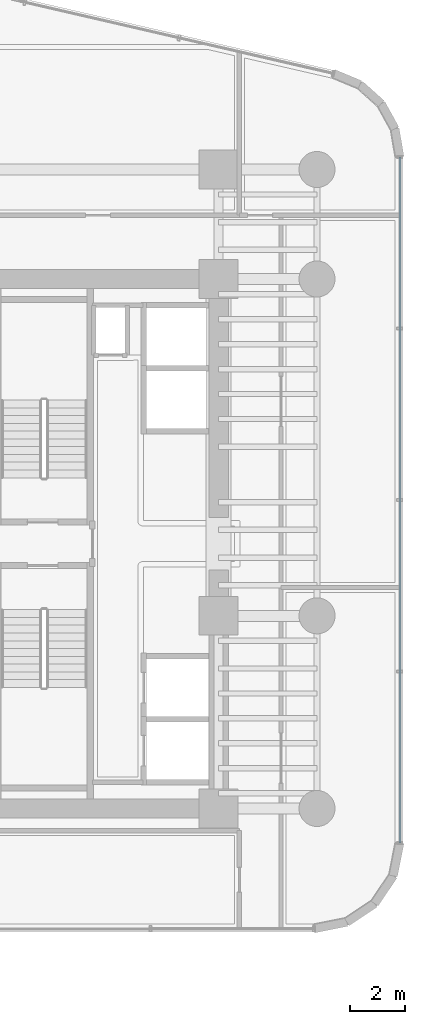
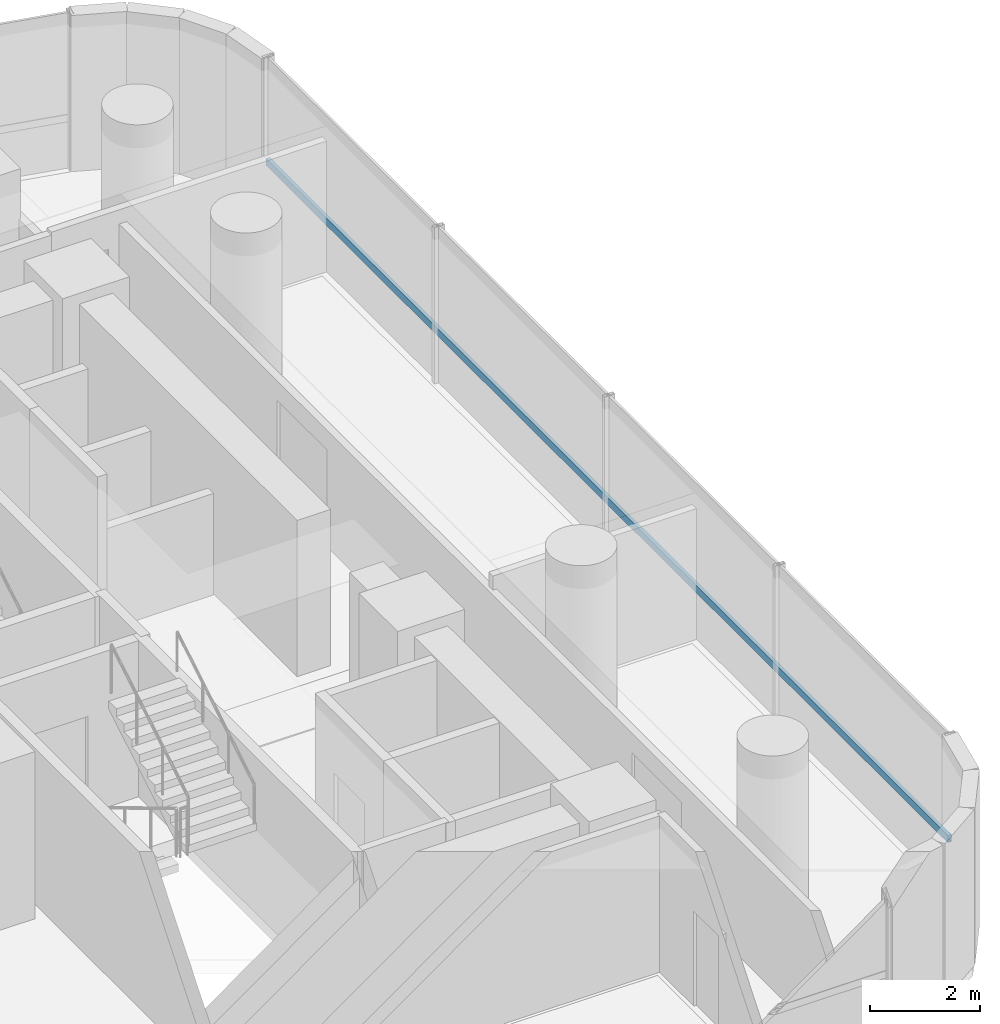
# One storey, part 27 of 40: 1 member, 1 element without a shape of its own.
"""IFC4 building model written with IfcOpenShell, lengths in metres."""

import ifcopenshell
import ifcopenshell.guid

model = None  # the IFC model being written
_history = None  # IfcOwnerHistory: only IFC2X3 demands one
_inside = {}  # id of a spatial element -> (the spatial element, [elements in it])
_under = {}  # id of a project, library or spatial element -> (it, [spatial elements below it])
_declared = {}  # id of a project -> (the project, [libraries it declares])
_typed = {}  # id of a type object -> (the type object, [elements of that type])
_made_of = {}  # id of a material, layer set ... -> (it, [elements and type objects made of it])


def new_model(schema):
    """Start an empty IFC model of exactly this schema.

    Asked for "IFC4X3", IfcOpenShell would pick the latest addendum, in which some entities
    have other attributes; the version numbers below select the first issue.
    IFC2X3 requires an IfcOwnerHistory on every rooted entity: one is made here for all.
    """
    global model, _history
    if schema == "IFC4X3":
        model = ifcopenshell.file(schema_version=(4, 3, 0, 0))
    else:
        model = ifcopenshell.file(schema=schema)
    _inside.clear()
    _under.clear()
    _declared.clear()
    _typed.clear()
    _made_of.clear()
    _history = None
    if model.schema == "IFC2X3":
        org = make("IfcOrganization", Name="unknown")
        user = make(
            "IfcPersonAndOrganization",
            ThePerson=make("IfcPerson", FamilyName="unknown"),
            TheOrganization=org,
        )
        app = make(
            "IfcApplication",
            ApplicationDeveloper=org,
            Version="unknown",
            ApplicationFullName="unknown",
            ApplicationIdentifier="unknown",
        )
        _history = make(
            "IfcOwnerHistory",
            OwningUser=user,
            OwningApplication=app,
            ChangeAction="ADDED",
            CreationDate=0,
        )
    return model


def make(cls, **values):
    """One entity of the class cls with the attributes given. An attribute that is None is left unset."""
    return model.create_entity(
        cls, **{name: value for name, value in values.items() if value is not None}
    )


def rooted(cls, **values):
    """An entity with a GlobalId (a new one), such as an element, a storey or a relation."""
    return make(cls, GlobalId=ifcopenshell.guid.new(), OwnerHistory=_history, **values)


def si_unit(unit_type, name, prefix=None):
    """IfcSIUnit, for example si_unit("LENGTHUNIT", "METRE", prefix="MILLI")."""
    return make("IfcSIUnit", UnitType=unit_type, Prefix=prefix, Name=name)


def assignment(units):
    """IfcUnitAssignment: the units of a project."""
    return None if units is None else make("IfcUnitAssignment", Units=units)


def point(xyz):
    """IfcCartesianPoint."""
    return None if xyz is None else make("IfcCartesianPoint", Coordinates=xyz)


def direction(xyz):
    """IfcDirection."""
    return None if xyz is None else make("IfcDirection", DirectionRatios=xyz)


def frame(location, z_axis=None, x_axis=None):
    """IfcAxis2Placement3D, a coordinate frame: its origin and axes. An axis left out is left unset."""
    return make(
        "IfcAxis2Placement3D",
        Location=point(location),
        Axis=direction(z_axis),
        RefDirection=direction(x_axis),
    )


def frame_2d(location, x_axis=None):
    """IfcAxis2Placement2D, a coordinate frame in the plane: its origin and x axis."""
    return make(
        "IfcAxis2Placement2D", Location=point(location), RefDirection=direction(x_axis)
    )


def origin():
    """The frame at (0, 0, 0) with its axes left unset."""
    return frame((0.0, 0.0, 0.0))


def origin_2d():
    """The frame at (0, 0) in the plane with its x axis left unset."""
    return frame_2d((0.0, 0.0))


def place(relative_to, where):
    """IfcLocalPlacement: puts the frame where relative to a parent placement (None: the world)."""
    return make(
        "IfcLocalPlacement", PlacementRelTo=relative_to, RelativePlacement=where
    )


def context(
    kind, dimensions, precision=None, world=None, true_north=None, identifier=None
):
    """IfcGeometricRepresentationContext, for example the 3D "Model" context."""
    return make(
        "IfcGeometricRepresentationContext",
        ContextIdentifier=identifier,
        ContextType=kind,
        CoordinateSpaceDimension=dimensions,
        Precision=precision,
        WorldCoordinateSystem=world,
        TrueNorth=true_north,
    )


def subcontext(parent, identifier, kind, view, scale=None):
    """IfcGeometricRepresentationSubContext, for example "Body" below "Model"."""
    return make(
        "IfcGeometricRepresentationSubContext",
        ContextIdentifier=identifier,
        ContextType=kind,
        ParentContext=parent,
        TargetScale=scale,
        TargetView=view,
    )


def project(units=None, contexts=None):
    """IfcProject with its units and contexts."""
    return rooted(
        "IfcProject",
        Name="project",
        RepresentationContexts=contexts,
        UnitsInContext=assignment(units),
    )


def spatial(cls, under=None, at=None, **own):
    """A site, building, storey or space (cls), placed at a placement, below another one or the project."""
    s = rooted(cls, ObjectPlacement=at, **own)
    if under is not None:
        _under.setdefault(under.id(), (under, []))[1].append(s)
    return s


def profile(cls, at=None, kind="AREA", **sizes):
    """A parametric profile (cls). Its sizes go by their IFC names, for example OverallWidth=200.0."""
    return make(cls, ProfileType=kind, Position=at, **sizes)


def hollow_rectangle(**sizes):
    """IfcRectangleHollowProfileDef."""
    return profile("IfcRectangleHollowProfileDef", **sizes)


def extrude(swept, where, along, depth):
    """IfcExtrudedAreaSolid: the profile swept, set in the frame where, extruded along a direction by depth."""
    return make(
        "IfcExtrudedAreaSolid",
        SweptArea=swept,
        Position=where,
        ExtrudedDirection=direction(along),
        Depth=depth,
    )


def shape(context_of_items, identifier, shape_type, items):
    """IfcShapeRepresentation: the items that make up one representation, for example the "Body"."""
    return make(
        "IfcShapeRepresentation",
        ContextOfItems=context_of_items,
        RepresentationIdentifier=identifier,
        RepresentationType=shape_type,
        Items=items,
    )


def source(mapping_origin, context_of_items, identifier, shape_type, items):
    """IfcRepresentationMap: a shape defined once, which mapped items show again and again."""
    return make(
        "IfcRepresentationMap",
        MappingOrigin=mapping_origin,
        MappedRepresentation=shape(context_of_items, identifier, shape_type, items),
    )


def transform(
    local_origin,
    x_axis=None,
    y_axis=None,
    z_axis=None,
    scale=None,
    scale2=None,
    scale3=None,
    uniform=True,
):
    """IfcCartesianTransformationOperator3D, or its non-uniform kind. x_axis, y_axis, z_axis: its Axis1, 2, 3."""
    if uniform:
        return make(
            "IfcCartesianTransformationOperator3D",
            Axis1=direction(x_axis),
            Axis2=direction(y_axis),
            LocalOrigin=point(local_origin),
            Scale=scale,
            Axis3=direction(z_axis),
        )
    return make(
        "IfcCartesianTransformationOperator3DnonUniform",
        Axis1=direction(x_axis),
        Axis2=direction(y_axis),
        LocalOrigin=point(local_origin),
        Scale=scale,
        Axis3=direction(z_axis),
        Scale2=scale2,
        Scale3=scale3,
    )


def mapped(mapping_source, mapping_target):
    """IfcMappedItem: shows the shape of a source again, moved by a transform."""
    return make(
        "IfcMappedItem", MappingSource=mapping_source, MappingTarget=mapping_target
    )


def material(Name=None, Category=None):
    """IfcMaterial."""
    return make("IfcMaterial", Name=Name, Category=Category)


def material_profile(
    of_material, cross_section, Name=None, Category=None, Priority=None
):
    """IfcMaterialProfile: a cross section and its material."""
    return make(
        "IfcMaterialProfile",
        Name=Name,
        Material=of_material,
        Profile=cross_section,
        Priority=Priority,
        Category=Category,
    )


def profile_set(profiles, Name=None, composite=None):
    """IfcMaterialProfileSet."""
    return make(
        "IfcMaterialProfileSet",
        Name=Name,
        MaterialProfiles=profiles,
        CompositeProfile=composite,
    )


def made_of(thing, what):
    """Note that an element or type object is made of a material, layer set ...; save() writes the relation."""
    if what is not None:
        _made_of.setdefault(what.id(), (what, []))[1].append(thing)
    return thing


def type_object(cls, material=None, **own):
    """A type object (cls), such as IfcWallType, which elements share."""
    return made_of(rooted(cls, **own), material)


def element(
    cls,
    number,
    at=None,
    inside=None,
    cuts=None,
    type_object=None,
    material=None,
    context=None,
    identifier="Body",
    shape_type=None,
    held_by="IfcProductDefinitionShape",
    body=None,
    shapes=None,
    **own,
):
    """One element of the class cls, such as IfcWall. Its Tag is "e" and its number.

    at: its placement. inside: the storey or other place that contains it. cuts: it is an
    opening in that element (IfcRelVoidsElement). A single representation is given by context,
    identifier, shape_type and body (its items); several are given by shapes. held_by: the class
    of the entity that holds the representations. save() writes the other relations.
    """
    e = rooted(cls, Tag="e%d" % number, ObjectPlacement=at, **own)
    if body is not None:
        shapes = [shape(context, identifier, shape_type, body)]
    if shapes is not None:
        e.Representation = make(held_by, Representations=shapes)
    if inside is not None:
        _inside.setdefault(inside.id(), (inside, []))[1].append(e)
    if cuts is not None:
        rooted(
            "IfcRelVoidsElement", RelatingBuildingElement=cuts, RelatedOpeningElement=e
        )
    if type_object is not None:
        _typed.setdefault(type_object.id(), (type_object, []))[1].append(e)
    return made_of(e, material)


def aggregate(whole, parts):
    """IfcRelAggregates: a whole, such as a stair, and the parts it consists of."""
    return rooted("IfcRelAggregates", RelatingObject=whole, RelatedObjects=parts)


def save(model, path):
    """Write the relations noted so far, then the file.

    IfcRelAggregates (storeys below a building ...), IfcRelContainedInSpatialStructure (elements
    in a storey), IfcRelDefinesByType, IfcRelAssociatesMaterial and IfcRelDeclares: one each for
    every whole, place, type object, material and project.
    """
    for whole, parts in _under.values():
        aggregate(whole, parts)
    for where, things in _inside.values():
        rooted(
            "IfcRelContainedInSpatialStructure",
            RelatedElements=things,
            RelatingStructure=where,
        )
    for kind, things in _typed.values():
        rooted("IfcRelDefinesByType", RelatedObjects=things, RelatingType=kind)
    for what, things in _made_of.values():
        rooted("IfcRelAssociatesMaterial", RelatedObjects=things, RelatingMaterial=what)
    for by, libraries in _declared.values():
        rooted("IfcRelDeclares", RelatingContext=by, RelatedDefinitions=libraries)
    model.write(path)


model = new_model("IFC4")

# Units and contexts
model_context = context("Model", 3, precision=1e-05, world=origin(), true_north=direction((0.0, 1.0)))
body_context = subcontext(model_context, "Body", "Model", "MODEL_VIEW")
ifc_project = project(units=[si_unit("LENGTHUNIT", "METRE"), si_unit("AREAUNIT", "SQUARE_METRE"), si_unit("VOLUMEUNIT", "CUBIC_METRE"), si_unit("PLANEANGLEUNIT", "RADIAN"), si_unit("MASSUNIT", "GRAM", prefix="KILO")], contexts=[model_context])

# Site, building, storey
site_placement = place(None, origin())
site = spatial("IfcSite", under=ifc_project, at=site_placement, CompositionType="ELEMENT")
building_placement = place(site_placement, origin())
building = spatial("IfcBuilding", under=site, at=building_placement, Name="Valdorenza Pilgrim Sanctuary Tower", CompositionType="ELEMENT")
storey_placement = place(building_placement, frame((0.0, 0.0, 48.199951171875)))
storey = spatial("IfcBuildingStorey", under=building, at=storey_placement, Name="L11", CompositionType="ELEMENT", Elevation=48.199951171875)

# Curtain wall, member
ifc_material_1 = material(Name="Curtain-wall IGU glazing", Category="glass")
curtain_wall_type = type_object("IfcCurtainWallType", Name="CW-SYS-03", PredefinedType="NOTDEFINED", material=ifc_material_1)
curtain_wall_placement = place(storey_placement, origin())
curtain_wall = element("IfcCurtainWall", 1, at=curtain_wall_placement, inside=storey, type_object=curtain_wall_type, Name="L11 Curtain Wall CW-L11-1-21", PredefinedType="NOTDEFINED")
ifc_material_2 = material(Name="Anodised aluminium AW-6060", Category="aluminium")
ifc_material_profile = material_profile(ifc_material_2, hollow_rectangle(XDim=0.074951171875, YDim=0.159912109375, WallThickness=0.00390625, at=origin_2d()), Name="ALU-T 160x75x4")
ifc_profile_set = profile_set([ifc_material_profile], Name="Anodised aluminium AW-6060")
member_type = type_object("IfcMemberType", Name="CW-TRN-03", PredefinedType="USERDEFINED", material=ifc_profile_set)
shared_shape = source(origin(), body_context, "Body", "SweptSolid", [
    extrude(hollow_rectangle(XDim=0.074951171875, YDim=0.159912109375, WallThickness=0.00390625, at=origin_2d()), origin(), (0.0, 0.0, 1.0), 24.734375),
])
member_placement = place(storey_placement, frame((31.389892578125, 13.945068359375, 1.1201171875), z_axis=(0.0, -1.0, 0.0), x_axis=(1.0, 0.0, 0.0)))
member = element("IfcMember", 2, at=member_placement, type_object=member_type, Name="CW-L11-1-21 Transom 1", ObjectType="TRANSOM", PredefinedType="USERDEFINED", context=body_context, shape_type="MappedRepresentation", body=[
    mapped(shared_shape, transform((0.0, 0.0, 0.0), x_axis=(1.0, 0.0, 0.0), y_axis=(0.0, 1.0, 0.0), z_axis=(0.0, 0.0, 1.0), scale=1.0)),
])
aggregate(curtain_wall, [member])

save(model, "model.ifc")
